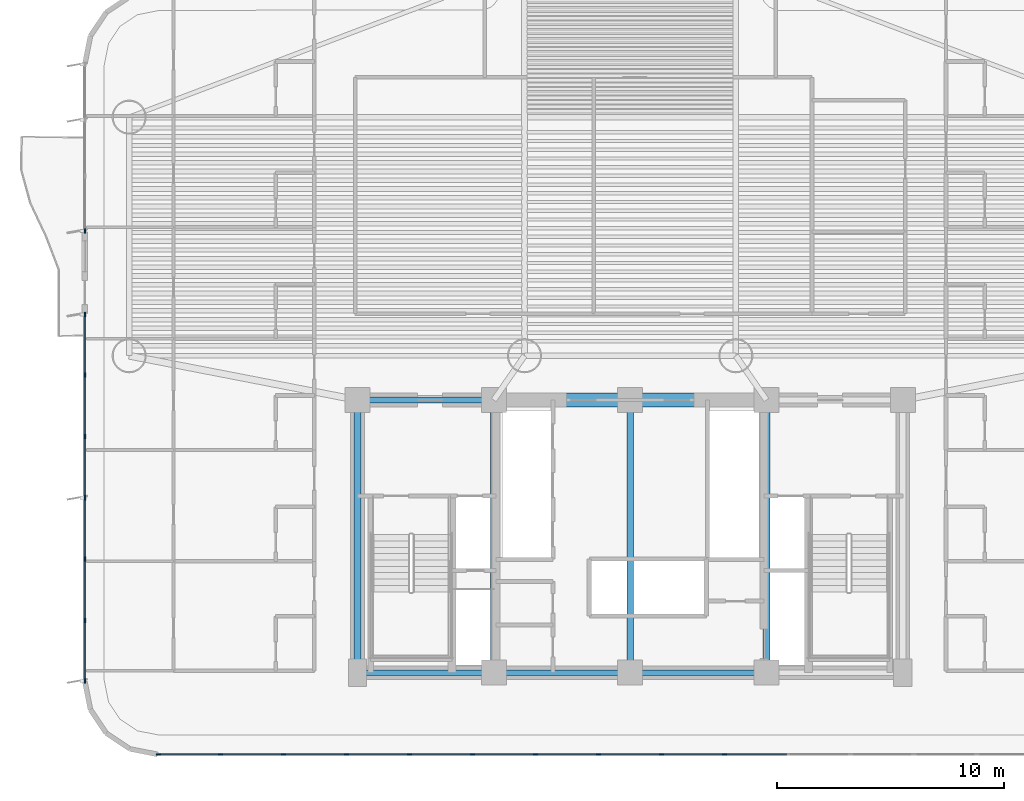
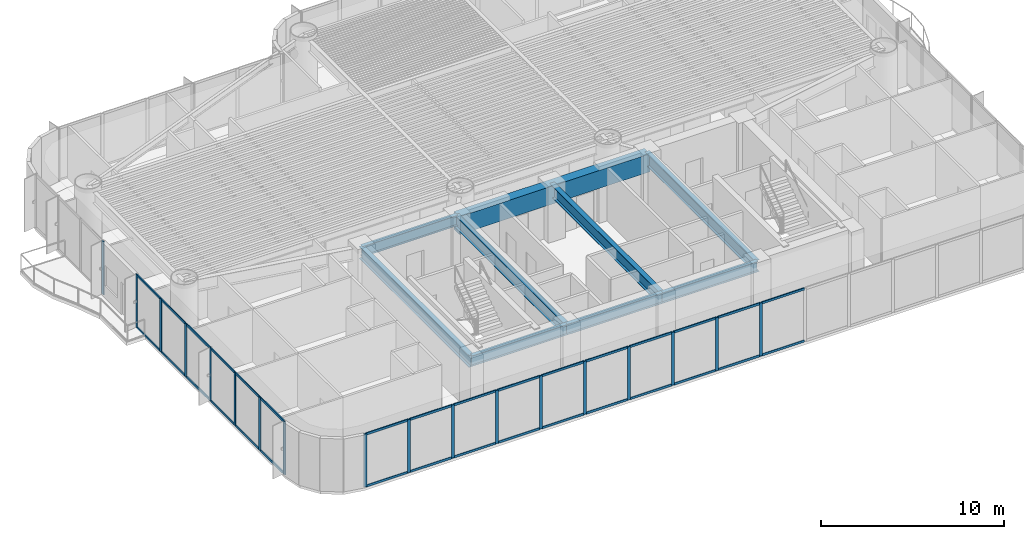
# One storey, part 2 of 19: 50 members, 9 beams, 3 elements without a shape of their own.
"""IFC4 building model written with IfcOpenShell, lengths in metres."""

from ifc_helpers import new_model, si_unit, direction, frame, origin, origin_2d, place, context, subcontext, project, spatial, rectangle, i_section, extrude, source, transform, mapped, material, layer, layer_set, material_profile, profile_set, type_object, element, aggregate, save


model = new_model("IFC4")

# Units and contexts
model_context = context("Model", 3, precision=1e-05, world=origin(), true_north=direction((0.0, 1.0)))
body_context = subcontext(model_context, "Body", "Model", "MODEL_VIEW")
ifc_project = project(units=[si_unit("LENGTHUNIT", "METRE"), si_unit("AREAUNIT", "SQUARE_METRE"), si_unit("VOLUMEUNIT", "CUBIC_METRE"), si_unit("PLANEANGLEUNIT", "RADIAN"), si_unit("MASSUNIT", "GRAM", prefix="KILO")], contexts=[model_context])

# Site, building, storey
site_placement = place(None, origin())
site = spatial("IfcSite", under=ifc_project, at=site_placement, CompositionType="ELEMENT")
building_placement = place(site_placement, origin())
building = spatial("IfcBuilding", under=site, at=building_placement, Name="Brelvock Crest Care Tower", CompositionType="ELEMENT")
storey_placement = place(building_placement, frame((0.0, 0.0, 64.800048828125)))
storey = spatial("IfcBuildingStorey", under=building, at=storey_placement, Name="L16", CompositionType="ELEMENT", Elevation=64.800048828125)

# Beams
ifc_material_1 = material(Name="Concrete S80 (80 MPa)", Category="concrete")
ifc_material_profile_1 = material_profile(ifc_material_1, rectangle(XDim=0.60009765625, YDim=1.199951171875, at=origin_2d()), Name="RC600x1200")
ifc_profile_set_1 = profile_set([ifc_material_profile_1], Name="Concrete S80 (80 MPa)")
beam_type_1 = type_object("IfcBeamType", Name="BM-LN1", PredefinedType="LINTEL", material=ifc_profile_set_1)
shared_shape_1 = source(origin(), body_context, "Body", "SweptSolid", [
    extrude(rectangle(XDim=0.60009765625, YDim=1.199951171875, at=origin_2d()), origin(), (0.0, 0.0, 1.0), 12.0),
])
beam_placement = place(storey_placement, frame((30.0, 18.0, 2.929931640625), z_axis=(1.0, 0.0, 0.0), x_axis=(0.0, 1.0, 0.0)))
element("IfcBeam", 1, at=beam_placement, inside=storey, type_object=beam_type_1, Name="L16 Core Coupling Lintel Beam", PredefinedType="LINTEL", context=body_context, shape_type="MappedRepresentation", body=[
    mapped(shared_shape_1, transform((0.0, 0.0, 0.0), x_axis=(1.0, 0.0, 0.0), y_axis=(0.0, 1.0, 0.0), z_axis=(0.0, 0.0, 1.0), scale=1.0)),
])
ifc_material_2 = material(Name="Steel Grade 350", Category="steel")
ifc_material_profile_2 = material_profile(ifc_material_2, i_section(OverallWidth=0.25, OverallDepth=0.699951171875, WebThickness=0.011962890625, FlangeThickness=0.02001953125, at=origin_2d()), Name="700WB150")
ifc_profile_set_2 = profile_set([ifc_material_profile_2], Name="Steel Grade 350")
beam_type_2 = type_object("IfcBeamType", Name="BM-G4", PredefinedType="BEAM", material=ifc_profile_set_2)
shared_shape_2 = source(origin(), body_context, "Body", "SweptSolid", [
    extrude(i_section(OverallWidth=0.25, OverallDepth=0.699951171875, WebThickness=0.011962890625, FlangeThickness=0.02001953125, at=origin_2d()), origin(), (0.0, 0.0, 1.0), 6.0),
])
for number, where, z_axis, x_axis, name in (
    (2, (24.0, 6.0, 3.179931640625), (1.0, 0.0, 0.0), (0.0, 1.0, 0.0), "BM-CORES-L16-1"),
    (3, (24.0, 18.0, 3.179931640625), (1.0, 0.0, 0.0), (0.0, 1.0, 0.0), "BM-COREN-L16-1"),
    (4, (30.0, 6.0, 3.179931640625), (1.0, 0.0, 0.0), (0.0, 1.0, 0.0), "BM-CORES-L16-2"),
    (5, (36.0, 6.0, 3.179931640625), (1.0, 0.0, 0.0), (0.0, 1.0, 0.0), "BM-CORES-L16-3"),
):
    element("IfcBeam", number, at=place(storey_placement, frame(where, z_axis=z_axis, x_axis=x_axis)), inside=storey, type_object=beam_type_2, Name=name, PredefinedType="BEAM", context=body_context, shape_type="MappedRepresentation", body=[
        mapped(shared_shape_2, transform((0.0, 0.0, 0.0), x_axis=(1.0, 0.0, 0.0), y_axis=(0.0, 1.0, 0.0), z_axis=(0.0, 0.0, 1.0), scale=1.0)),
    ])
ifc_material_profile_3 = material_profile(ifc_material_2, i_section(OverallWidth=0.300048828125, OverallDepth=0.800048828125, WebThickness=0.013916015625, FlangeThickness=0.02197265625, at=origin_2d()), Name="800WB192")
ifc_profile_set_3 = profile_set([ifc_material_profile_3], Name="Steel Grade 350")
beam_type_3 = type_object("IfcBeamType", Name="BM-G5", PredefinedType="BEAM", material=ifc_profile_set_3)
shared_shape_3 = source(origin(), body_context, "Body", "SweptSolid", [
    extrude(i_section(OverallWidth=0.300048828125, OverallDepth=0.800048828125, WebThickness=0.013916015625, FlangeThickness=0.02197265625, at=origin_2d()), origin(), (0.0, 0.0, 1.0), 12.0),
])
for number, where, z_axis, x_axis, name in (
    (6, (24.0, 6.0, 3.1298828125), (0.0, 1.0, 0.0), (-1.0, 0.0, 0.0), "BM-COREX-L16-1"),
    (7, (30.0, 6.0, 3.1298828125), (0.0, 1.0, 0.0), (-1.0, 0.0, 0.0), "BM-COREX-L16-2"),
    (8, (36.0, 6.0, 3.1298828125), (0.0, 1.0, 0.0), (-1.0, 0.0, 0.0), "BM-COREX-L16-3"),
    (9, (42.0, 6.0, 3.1298828125), (0.0, 1.0, 0.0), (-1.0, 0.0, 0.0), "BM-COREX-L16-4"),
):
    element("IfcBeam", number, at=place(storey_placement, frame(where, z_axis=z_axis, x_axis=x_axis)), inside=storey, type_object=beam_type_3, Name=name, PredefinedType="BEAM", context=body_context, shape_type="MappedRepresentation", body=[
        mapped(shared_shape_3, transform((0.0, 0.0, 0.0), x_axis=(1.0, 0.0, 0.0), y_axis=(0.0, 1.0, 0.0), z_axis=(0.0, 0.0, 1.0), scale=1.0)),
    ])

# Curtain wall, members
ifc_material_3 = material(Name="Dark Glass Double Glazed Low-E", Category="glass")
ifc_layer = layer(ifc_material_3, 0.195068359375, Name="CWS-2")
ifc_layer_set = layer_set([ifc_layer], Name="Dark Glass Double Glazed Low-E")
curtain_wall_type = type_object("IfcCurtainWallType", Name="CWS-2", PredefinedType="NOTDEFINED", material=ifc_layer_set)
curtain_wall_1_placement = place(storey_placement, origin())
curtain_wall_1 = element("IfcCurtainWall", 10, at=curtain_wall_1_placement, inside=storey, type_object=curtain_wall_type, Name="L16 Curtain Wall E08", PredefinedType="NOTDEFINED")
ifc_material_4 = material(Name="Aluminium 6063-T6", Category="aluminium")
ifc_material_profile_4 = material_profile(ifc_material_4, rectangle(XDim=0.06494140625, YDim=0.199951171875, at=origin_2d()), Name="ALU65x200")
ifc_profile_set_4 = profile_set([ifc_material_profile_4], Name="Aluminium 6063-T6")
member_type_1 = type_object("IfcMemberType", Name="CWM-1", PredefinedType="MULLION", material=ifc_profile_set_4)
shared_shape_4 = source(origin(), body_context, "Body", "SweptSolid", [
    extrude(rectangle(XDim=0.06494140625, YDim=0.199951171875, at=origin_2d()), origin(), (0.0, 0.0, 1.0), 3.530029296875),
])
member_1_placement = place(storey_placement, frame((40.159912109375, 2.39990234375, 0.0), z_axis=(0.0, 0.0, 1.0), x_axis=(0.0, -1.0, 0.0)))
member_1 = element("IfcMember", 11, at=member_1_placement, type_object=member_type_1, Name="CW-2 mullion 7", PredefinedType="MULLION", context=body_context, shape_type="MappedRepresentation", body=[
    mapped(shared_shape_4, transform((0.0, 0.0, 0.0), x_axis=(1.0, 0.0, 0.0), y_axis=(0.0, 1.0, 0.0), z_axis=(0.0, 0.0, 1.0), scale=1.0)),
])
member_2_placement = place(storey_placement, frame((37.38671875, 2.39990234375, 0.0), z_axis=(0.0, 0.0, 1.0), x_axis=(0.0, -1.0, 0.0)))
member_2 = element("IfcMember", 12, at=member_2_placement, type_object=member_type_1, Name="CW-2 mullion 8", PredefinedType="MULLION", context=body_context, shape_type="MappedRepresentation", body=[
    mapped(shared_shape_4, transform((0.0, 0.0, 0.0), x_axis=(1.0, 0.0, 0.0), y_axis=(0.0, 1.0, 0.0), z_axis=(0.0, 0.0, 1.0), scale=1.0)),
])
member_3_placement = place(storey_placement, frame((34.61328125, 2.39990234375, 0.0), z_axis=(0.0, 0.0, 1.0), x_axis=(0.0, -1.0, 0.0)))
member_3 = element("IfcMember", 13, at=member_3_placement, type_object=member_type_1, Name="CW-2 mullion 9", PredefinedType="MULLION", context=body_context, shape_type="MappedRepresentation", body=[
    mapped(shared_shape_4, transform((0.0, 0.0, 0.0), x_axis=(1.0, 0.0, 0.0), y_axis=(0.0, 1.0, 0.0), z_axis=(0.0, 0.0, 1.0), scale=1.0)),
])
member_4_placement = place(storey_placement, frame((31.840087890625, 2.39990234375, 0.0), z_axis=(0.0, 0.0, 1.0), x_axis=(0.0, -1.0, 0.0)))
member_4 = element("IfcMember", 14, at=member_4_placement, type_object=member_type_1, Name="CW-2 mullion 10", PredefinedType="MULLION", context=body_context, shape_type="MappedRepresentation", body=[
    mapped(shared_shape_4, transform((0.0, 0.0, 0.0), x_axis=(1.0, 0.0, 0.0), y_axis=(0.0, 1.0, 0.0), z_axis=(0.0, 0.0, 1.0), scale=1.0)),
])
member_5_placement = place(storey_placement, frame((29.066650390625, 2.39990234375, 0.0), z_axis=(0.0, 0.0, 1.0), x_axis=(0.0, -1.0, 0.0)))
member_5 = element("IfcMember", 15, at=member_5_placement, type_object=member_type_1, Name="CW-2 mullion 11", PredefinedType="MULLION", context=body_context, shape_type="MappedRepresentation", body=[
    mapped(shared_shape_4, transform((0.0, 0.0, 0.0), x_axis=(1.0, 0.0, 0.0), y_axis=(0.0, 1.0, 0.0), z_axis=(0.0, 0.0, 1.0), scale=1.0)),
])
member_6_placement = place(storey_placement, frame((26.293212890625, 2.39990234375, 0.0), z_axis=(0.0, 0.0, 1.0), x_axis=(0.0, -1.0, 0.0)))
member_6 = element("IfcMember", 16, at=member_6_placement, type_object=member_type_1, Name="CW-2 mullion 12", PredefinedType="MULLION", context=body_context, shape_type="MappedRepresentation", body=[
    mapped(shared_shape_4, transform((0.0, 0.0, 0.0), x_axis=(1.0, 0.0, 0.0), y_axis=(0.0, 1.0, 0.0), z_axis=(0.0, 0.0, 1.0), scale=1.0)),
])
member_7_placement = place(storey_placement, frame((23.52001953125, 2.39990234375, 0.0), z_axis=(0.0, 0.0, 1.0), x_axis=(0.0, -1.0, 0.0)))
member_7 = element("IfcMember", 17, at=member_7_placement, type_object=member_type_1, Name="CW-2 mullion 13", PredefinedType="MULLION", context=body_context, shape_type="MappedRepresentation", body=[
    mapped(shared_shape_4, transform((0.0, 0.0, 0.0), x_axis=(1.0, 0.0, 0.0), y_axis=(0.0, 1.0, 0.0), z_axis=(0.0, 0.0, 1.0), scale=1.0)),
])
member_8_placement = place(storey_placement, frame((20.74658203125, 2.39990234375, 0.0), z_axis=(0.0, 0.0, 1.0), x_axis=(0.0, -1.0, 0.0)))
member_8 = element("IfcMember", 18, at=member_8_placement, type_object=member_type_1, Name="CW-2 mullion 14", PredefinedType="MULLION", context=body_context, shape_type="MappedRepresentation", body=[
    mapped(shared_shape_4, transform((0.0, 0.0, 0.0), x_axis=(1.0, 0.0, 0.0), y_axis=(0.0, 1.0, 0.0), z_axis=(0.0, 0.0, 1.0), scale=1.0)),
])
member_9_placement = place(storey_placement, frame((17.973388671875, 2.39990234375, 0.0), z_axis=(0.0, 0.0, 1.0), x_axis=(0.0, -1.0, 0.0)))
member_9 = element("IfcMember", 19, at=member_9_placement, type_object=member_type_1, Name="CW-2 mullion 15", PredefinedType="MULLION", context=body_context, shape_type="MappedRepresentation", body=[
    mapped(shared_shape_4, transform((0.0, 0.0, 0.0), x_axis=(1.0, 0.0, 0.0), y_axis=(0.0, 1.0, 0.0), z_axis=(0.0, 0.0, 1.0), scale=1.0)),
])
member_10_placement = place(storey_placement, frame((15.232421875, 2.39990234375, 0.0), z_axis=(0.0, 0.0, 1.0), x_axis=(0.0, -1.0, 0.0)))
member_10 = element("IfcMember", 20, at=member_10_placement, type_object=member_type_1, Name="CW-2 mullion 16", PredefinedType="MULLION", context=body_context, shape_type="MappedRepresentation", body=[
    mapped(shared_shape_4, transform((0.0, 0.0, 0.0), x_axis=(1.0, 0.0, 0.0), y_axis=(0.0, 1.0, 0.0), z_axis=(0.0, 0.0, 1.0), scale=1.0)),
])

curtain_wall_2_placement = place(storey_placement, origin())
curtain_wall_2 = element("IfcCurtainWall", 21, at=curtain_wall_2_placement, inside=storey, type_object=curtain_wall_type, Name="L16 Curtain Wall E13A", PredefinedType="NOTDEFINED")
member_11_placement = place(storey_placement, frame((12.0, 5.632568359375, 0.0), z_axis=(0.0, 0.0, 1.0), x_axis=(-1.0, 0.0, 0.0)))
member_11 = element("IfcMember", 22, at=member_11_placement, type_object=member_type_1, Name="CW-2 mullion 1", PredefinedType="MULLION", context=body_context, shape_type="MappedRepresentation", body=[
    mapped(shared_shape_4, transform((0.0, 0.0, 0.0), x_axis=(1.0, 0.0, 0.0), y_axis=(0.0, 1.0, 0.0), z_axis=(0.0, 0.0, 1.0), scale=1.0)),
])
member_12_placement = place(storey_placement, frame((12.0, 8.300048828125, 0.0), z_axis=(0.0, 0.0, 1.0), x_axis=(-1.0, 0.0, 0.0)))
member_12 = element("IfcMember", 23, at=member_12_placement, type_object=member_type_1, Name="CW-2 mullion 2", PredefinedType="MULLION", context=body_context, shape_type="MappedRepresentation", body=[
    mapped(shared_shape_4, transform((0.0, 0.0, 0.0), x_axis=(1.0, 0.0, 0.0), y_axis=(0.0, 1.0, 0.0), z_axis=(0.0, 0.0, 1.0), scale=1.0)),
])
member_13_placement = place(storey_placement, frame((12.0, 11.0, 0.0), z_axis=(0.0, 0.0, 1.0), x_axis=(-1.0, 0.0, 0.0)))
member_13 = element("IfcMember", 24, at=member_13_placement, type_object=member_type_1, Name="CW-2 mullion 3", PredefinedType="MULLION", context=body_context, shape_type="MappedRepresentation", body=[
    mapped(shared_shape_4, transform((0.0, 0.0, 0.0), x_axis=(1.0, 0.0, 0.0), y_axis=(0.0, 1.0, 0.0), z_axis=(0.0, 0.0, 1.0), scale=1.0)),
])
member_14_placement = place(storey_placement, frame((12.0, 13.699951171875, 0.0), z_axis=(0.0, 0.0, 1.0), x_axis=(-1.0, 0.0, 0.0)))
member_14 = element("IfcMember", 25, at=member_14_placement, type_object=member_type_1, Name="CW-2 mullion 4", PredefinedType="MULLION", context=body_context, shape_type="MappedRepresentation", body=[
    mapped(shared_shape_4, transform((0.0, 0.0, 0.0), x_axis=(1.0, 0.0, 0.0), y_axis=(0.0, 1.0, 0.0), z_axis=(0.0, 0.0, 1.0), scale=1.0)),
])
member_15_placement = place(storey_placement, frame((12.0, 16.39990234375, 0.0), z_axis=(0.0, 0.0, 1.0), x_axis=(-1.0, 0.0, 0.0)))
member_15 = element("IfcMember", 26, at=member_15_placement, type_object=member_type_1, Name="CW-2 mullion 5", PredefinedType="MULLION", context=body_context, shape_type="MappedRepresentation", body=[
    mapped(shared_shape_4, transform((0.0, 0.0, 0.0), x_axis=(1.0, 0.0, 0.0), y_axis=(0.0, 1.0, 0.0), z_axis=(0.0, 0.0, 1.0), scale=1.0)),
])
member_16_placement = place(storey_placement, frame((12.0, 19.10009765625, 0.0), z_axis=(0.0, 0.0, 1.0), x_axis=(-1.0, 0.0, 0.0)))
member_16 = element("IfcMember", 27, at=member_16_placement, type_object=member_type_1, Name="CW-2 mullion 6", PredefinedType="MULLION", context=body_context, shape_type="MappedRepresentation", body=[
    mapped(shared_shape_4, transform((0.0, 0.0, 0.0), x_axis=(1.0, 0.0, 0.0), y_axis=(0.0, 1.0, 0.0), z_axis=(0.0, 0.0, 1.0), scale=1.0)),
])
member_17_placement = place(storey_placement, frame((12.0, 21.767578125, 0.0), z_axis=(0.0, 0.0, 1.0), x_axis=(-1.0, 0.0, 0.0)))
member_17 = element("IfcMember", 28, at=member_17_placement, type_object=member_type_1, Name="CW-2 mullion 7", PredefinedType="MULLION", context=body_context, shape_type="MappedRepresentation", body=[
    mapped(shared_shape_4, transform((0.0, 0.0, 0.0), x_axis=(1.0, 0.0, 0.0), y_axis=(0.0, 1.0, 0.0), z_axis=(0.0, 0.0, 1.0), scale=1.0)),
])

# Curtain wall, member
curtain_wall_3_placement = place(storey_placement, origin())
curtain_wall_3 = element("IfcCurtainWall", 29, at=curtain_wall_3_placement, inside=storey, type_object=curtain_wall_type, Name="L16 Curtain Wall E13B", PredefinedType="NOTDEFINED")
member_18_placement = place(storey_placement, frame((12.0, 25.4326171875, 0.0), z_axis=(0.0, 0.0, 1.0), x_axis=(-1.0, 0.0, 0.0)))
member_18 = element("IfcMember", 30, at=member_18_placement, type_object=member_type_1, Name="CW-2 mullion 1", PredefinedType="MULLION", context=body_context, shape_type="MappedRepresentation", body=[
    mapped(shared_shape_4, transform((0.0, 0.0, 0.0), x_axis=(1.0, 0.0, 0.0), y_axis=(0.0, 1.0, 0.0), z_axis=(0.0, 0.0, 1.0), scale=1.0)),
])
aggregate(curtain_wall_3, [member_18])

# Member
ifc_material_profile_5 = material_profile(ifc_material_4, rectangle(XDim=0.06494140625, YDim=0.14990234375, at=origin_2d()), Name="ALU65x150")
ifc_profile_set_5 = profile_set([ifc_material_profile_5], Name="Aluminium 6063-T6")
member_type_2 = type_object("IfcMemberType", Name="CWT-1", PredefinedType="USERDEFINED", material=ifc_profile_set_5)
shared_shape_5 = source(origin(), body_context, "Body", "SweptSolid", [
    extrude(rectangle(XDim=0.06494140625, YDim=0.14990234375, at=origin_2d()), origin(), (0.0, 0.0, 1.0), 2.676025390625),
])
member_19_placement = place(storey_placement, frame((17.94091796875, 2.39990234375, 0.032470703125), z_axis=(-1.0, 0.0, 0.0), x_axis=(0.0, -1.0, 0.0)))
member_19 = element("IfcMember", 31, at=member_19_placement, type_object=member_type_2, Name="CW-2 transom 15.1", ObjectType="TRANSOM", PredefinedType="USERDEFINED", context=body_context, shape_type="MappedRepresentation", body=[
    mapped(shared_shape_5, transform((0.0, 0.0, 0.0), x_axis=(1.0, 0.0, 0.0), y_axis=(0.0, 1.0, 0.0), z_axis=(0.0, 0.0, 1.0), scale=1.0)),
])

member_20_placement = place(storey_placement, frame((17.94091796875, 2.39990234375, 3.49755859375), z_axis=(-1.0, 0.0, 0.0), x_axis=(0.0, -1.0, 0.0)))
member_20 = element("IfcMember", 32, at=member_20_placement, type_object=member_type_2, Name="CW-2 transom 15.2", ObjectType="TRANSOM", PredefinedType="USERDEFINED", context=body_context, shape_type="MappedRepresentation", body=[
    mapped(shared_shape_5, transform((0.0, 0.0, 0.0), x_axis=(1.0, 0.0, 0.0), y_axis=(0.0, 1.0, 0.0), z_axis=(0.0, 0.0, 1.0), scale=1.0)),
])

shared_shape_6 = source(origin(), body_context, "Body", "SweptSolid", [
    extrude(rectangle(XDim=0.06494140625, YDim=0.14990234375, at=origin_2d()), origin(), (0.0, 0.0, 1.0), 2.708251953125),
])
member_21_placement = place(storey_placement, frame((40.12744140625, 2.39990234375, 0.032470703125), z_axis=(-1.0, 0.0, 0.0), x_axis=(0.0, -1.0, 0.0)))
member_21 = element("IfcMember", 33, at=member_21_placement, type_object=member_type_2, Name="CW-2 transom 7.1", ObjectType="TRANSOM", PredefinedType="USERDEFINED", context=body_context, shape_type="MappedRepresentation", body=[
    mapped(shared_shape_6, transform((0.0, 0.0, 0.0), x_axis=(1.0, 0.0, 0.0), y_axis=(0.0, 1.0, 0.0), z_axis=(0.0, 0.0, 1.0), scale=1.0)),
])

member_22_placement = place(storey_placement, frame((40.12744140625, 2.39990234375, 3.49755859375), z_axis=(-1.0, 0.0, 0.0), x_axis=(0.0, -1.0, 0.0)))
member_22 = element("IfcMember", 34, at=member_22_placement, type_object=member_type_2, Name="CW-2 transom 7.2", ObjectType="TRANSOM", PredefinedType="USERDEFINED", context=body_context, shape_type="MappedRepresentation", body=[
    mapped(shared_shape_6, transform((0.0, 0.0, 0.0), x_axis=(1.0, 0.0, 0.0), y_axis=(0.0, 1.0, 0.0), z_axis=(0.0, 0.0, 1.0), scale=1.0)),
])

member_23_placement = place(storey_placement, frame((34.580810546875, 2.39990234375, 0.032470703125), z_axis=(-1.0, 0.0, 0.0), x_axis=(0.0, -1.0, 0.0)))
member_23 = element("IfcMember", 35, at=member_23_placement, type_object=member_type_2, Name="CW-2 transom 9.1", ObjectType="TRANSOM", PredefinedType="USERDEFINED", context=body_context, shape_type="MappedRepresentation", body=[
    mapped(shared_shape_6, transform((0.0, 0.0, 0.0), x_axis=(1.0, 0.0, 0.0), y_axis=(0.0, 1.0, 0.0), z_axis=(0.0, 0.0, 1.0), scale=1.0)),
])

member_24_placement = place(storey_placement, frame((34.580810546875, 2.39990234375, 3.49755859375), z_axis=(-1.0, 0.0, 0.0), x_axis=(0.0, -1.0, 0.0)))
member_24 = element("IfcMember", 36, at=member_24_placement, type_object=member_type_2, Name="CW-2 transom 9.2", ObjectType="TRANSOM", PredefinedType="USERDEFINED", context=body_context, shape_type="MappedRepresentation", body=[
    mapped(shared_shape_6, transform((0.0, 0.0, 0.0), x_axis=(1.0, 0.0, 0.0), y_axis=(0.0, 1.0, 0.0), z_axis=(0.0, 0.0, 1.0), scale=1.0)),
])

member_25_placement = place(storey_placement, frame((29.0341796875, 2.39990234375, 0.032470703125), z_axis=(-1.0, 0.0, 0.0), x_axis=(0.0, -1.0, 0.0)))
member_25 = element("IfcMember", 37, at=member_25_placement, type_object=member_type_2, Name="CW-2 transom 11.1", ObjectType="TRANSOM", PredefinedType="USERDEFINED", context=body_context, shape_type="MappedRepresentation", body=[
    mapped(shared_shape_6, transform((0.0, 0.0, 0.0), x_axis=(1.0, 0.0, 0.0), y_axis=(0.0, 1.0, 0.0), z_axis=(0.0, 0.0, 1.0), scale=1.0)),
])

member_26_placement = place(storey_placement, frame((29.0341796875, 2.39990234375, 3.49755859375), z_axis=(-1.0, 0.0, 0.0), x_axis=(0.0, -1.0, 0.0)))
member_26 = element("IfcMember", 38, at=member_26_placement, type_object=member_type_2, Name="CW-2 transom 11.2", ObjectType="TRANSOM", PredefinedType="USERDEFINED", context=body_context, shape_type="MappedRepresentation", body=[
    mapped(shared_shape_6, transform((0.0, 0.0, 0.0), x_axis=(1.0, 0.0, 0.0), y_axis=(0.0, 1.0, 0.0), z_axis=(0.0, 0.0, 1.0), scale=1.0)),
])

member_27_placement = place(storey_placement, frame((26.2607421875, 2.39990234375, 0.032470703125), z_axis=(-1.0, 0.0, 0.0), x_axis=(0.0, -1.0, 0.0)))
member_27 = element("IfcMember", 39, at=member_27_placement, type_object=member_type_2, Name="CW-2 transom 12.1", ObjectType="TRANSOM", PredefinedType="USERDEFINED", context=body_context, shape_type="MappedRepresentation", body=[
    mapped(shared_shape_6, transform((0.0, 0.0, 0.0), x_axis=(1.0, 0.0, 0.0), y_axis=(0.0, 1.0, 0.0), z_axis=(0.0, 0.0, 1.0), scale=1.0)),
])

member_28_placement = place(storey_placement, frame((26.2607421875, 2.39990234375, 3.49755859375), z_axis=(-1.0, 0.0, 0.0), x_axis=(0.0, -1.0, 0.0)))
member_28 = element("IfcMember", 40, at=member_28_placement, type_object=member_type_2, Name="CW-2 transom 12.2", ObjectType="TRANSOM", PredefinedType="USERDEFINED", context=body_context, shape_type="MappedRepresentation", body=[
    mapped(shared_shape_6, transform((0.0, 0.0, 0.0), x_axis=(1.0, 0.0, 0.0), y_axis=(0.0, 1.0, 0.0), z_axis=(0.0, 0.0, 1.0), scale=1.0)),
])

member_29_placement = place(storey_placement, frame((20.714111328125, 2.39990234375, 0.032470703125), z_axis=(-1.0, 0.0, 0.0), x_axis=(0.0, -1.0, 0.0)))
member_29 = element("IfcMember", 41, at=member_29_placement, type_object=member_type_2, Name="CW-2 transom 14.1", ObjectType="TRANSOM", PredefinedType="USERDEFINED", context=body_context, shape_type="MappedRepresentation", body=[
    mapped(shared_shape_6, transform((0.0, 0.0, 0.0), x_axis=(1.0, 0.0, 0.0), y_axis=(0.0, 1.0, 0.0), z_axis=(0.0, 0.0, 1.0), scale=1.0)),
])

member_30_placement = place(storey_placement, frame((20.714111328125, 2.39990234375, 3.49755859375), z_axis=(-1.0, 0.0, 0.0), x_axis=(0.0, -1.0, 0.0)))
member_30 = element("IfcMember", 42, at=member_30_placement, type_object=member_type_2, Name="CW-2 transom 14.2", ObjectType="TRANSOM", PredefinedType="USERDEFINED", context=body_context, shape_type="MappedRepresentation", body=[
    mapped(shared_shape_6, transform((0.0, 0.0, 0.0), x_axis=(1.0, 0.0, 0.0), y_axis=(0.0, 1.0, 0.0), z_axis=(0.0, 0.0, 1.0), scale=1.0)),
])

shared_shape_7 = source(origin(), body_context, "Body", "SweptSolid", [
    extrude(rectangle(XDim=0.06494140625, YDim=0.14990234375, at=origin_2d()), origin(), (0.0, 0.0, 1.0), 2.70849609375),
])
member_31_placement = place(storey_placement, frame((42.90087890625, 2.39990234375, 0.032470703125), z_axis=(-1.0, 0.0, 0.0), x_axis=(0.0, -1.0, 0.0)))
member_31 = element("IfcMember", 43, at=member_31_placement, type_object=member_type_2, Name="CW-2 transom 6.1", ObjectType="TRANSOM", PredefinedType="USERDEFINED", context=body_context, shape_type="MappedRepresentation", body=[
    mapped(shared_shape_7, transform((0.0, 0.0, 0.0), x_axis=(1.0, 0.0, 0.0), y_axis=(0.0, 1.0, 0.0), z_axis=(0.0, 0.0, 1.0), scale=1.0)),
])

member_32_placement = place(storey_placement, frame((42.90087890625, 2.39990234375, 3.49755859375), z_axis=(-1.0, 0.0, 0.0), x_axis=(0.0, -1.0, 0.0)))
member_32 = element("IfcMember", 44, at=member_32_placement, type_object=member_type_2, Name="CW-2 transom 6.2", ObjectType="TRANSOM", PredefinedType="USERDEFINED", context=body_context, shape_type="MappedRepresentation", body=[
    mapped(shared_shape_7, transform((0.0, 0.0, 0.0), x_axis=(1.0, 0.0, 0.0), y_axis=(0.0, 1.0, 0.0), z_axis=(0.0, 0.0, 1.0), scale=1.0)),
])

member_33_placement = place(storey_placement, frame((37.354248046875, 2.39990234375, 0.032470703125), z_axis=(-1.0, 0.0, 0.0), x_axis=(0.0, -1.0, 0.0)))
member_33 = element("IfcMember", 45, at=member_33_placement, type_object=member_type_2, Name="CW-2 transom 8.1", ObjectType="TRANSOM", PredefinedType="USERDEFINED", context=body_context, shape_type="MappedRepresentation", body=[
    mapped(shared_shape_7, transform((0.0, 0.0, 0.0), x_axis=(1.0, 0.0, 0.0), y_axis=(0.0, 1.0, 0.0), z_axis=(0.0, 0.0, 1.0), scale=1.0)),
])

member_34_placement = place(storey_placement, frame((37.354248046875, 2.39990234375, 3.49755859375), z_axis=(-1.0, 0.0, 0.0), x_axis=(0.0, -1.0, 0.0)))
member_34 = element("IfcMember", 46, at=member_34_placement, type_object=member_type_2, Name="CW-2 transom 8.2", ObjectType="TRANSOM", PredefinedType="USERDEFINED", context=body_context, shape_type="MappedRepresentation", body=[
    mapped(shared_shape_7, transform((0.0, 0.0, 0.0), x_axis=(1.0, 0.0, 0.0), y_axis=(0.0, 1.0, 0.0), z_axis=(0.0, 0.0, 1.0), scale=1.0)),
])

member_35_placement = place(storey_placement, frame((31.8076171875, 2.39990234375, 0.032470703125), z_axis=(-1.0, 0.0, 0.0), x_axis=(0.0, -1.0, 0.0)))
member_35 = element("IfcMember", 47, at=member_35_placement, type_object=member_type_2, Name="CW-2 transom 10.1", ObjectType="TRANSOM", PredefinedType="USERDEFINED", context=body_context, shape_type="MappedRepresentation", body=[
    mapped(shared_shape_7, transform((0.0, 0.0, 0.0), x_axis=(1.0, 0.0, 0.0), y_axis=(0.0, 1.0, 0.0), z_axis=(0.0, 0.0, 1.0), scale=1.0)),
])

member_36_placement = place(storey_placement, frame((31.8076171875, 2.39990234375, 3.49755859375), z_axis=(-1.0, 0.0, 0.0), x_axis=(0.0, -1.0, 0.0)))
member_36 = element("IfcMember", 48, at=member_36_placement, type_object=member_type_2, Name="CW-2 transom 10.2", ObjectType="TRANSOM", PredefinedType="USERDEFINED", context=body_context, shape_type="MappedRepresentation", body=[
    mapped(shared_shape_7, transform((0.0, 0.0, 0.0), x_axis=(1.0, 0.0, 0.0), y_axis=(0.0, 1.0, 0.0), z_axis=(0.0, 0.0, 1.0), scale=1.0)),
])

member_37_placement = place(storey_placement, frame((23.487548828125, 2.39990234375, 0.032470703125), z_axis=(-1.0, 0.0, 0.0), x_axis=(0.0, -1.0, 0.0)))
member_37 = element("IfcMember", 49, at=member_37_placement, type_object=member_type_2, Name="CW-2 transom 13.1", ObjectType="TRANSOM", PredefinedType="USERDEFINED", context=body_context, shape_type="MappedRepresentation", body=[
    mapped(shared_shape_7, transform((0.0, 0.0, 0.0), x_axis=(1.0, 0.0, 0.0), y_axis=(0.0, 1.0, 0.0), z_axis=(0.0, 0.0, 1.0), scale=1.0)),
])

member_38_placement = place(storey_placement, frame((23.487548828125, 2.39990234375, 3.49755859375), z_axis=(-1.0, 0.0, 0.0), x_axis=(0.0, -1.0, 0.0)))
member_38 = element("IfcMember", 50, at=member_38_placement, type_object=member_type_2, Name="CW-2 transom 13.2", ObjectType="TRANSOM", PredefinedType="USERDEFINED", context=body_context, shape_type="MappedRepresentation", body=[
    mapped(shared_shape_7, transform((0.0, 0.0, 0.0), x_axis=(1.0, 0.0, 0.0), y_axis=(0.0, 1.0, 0.0), z_axis=(0.0, 0.0, 1.0), scale=1.0)),
])

aggregate(curtain_wall_1, [member_1, member_2, member_3, member_4, member_5, member_6, member_7, member_8, member_9, member_10, member_31, member_32, member_21, member_22, member_33, member_34, member_23, member_24, member_35, member_36, member_25, member_26, member_27, member_28, member_37, member_38, member_29, member_30, member_19, member_20])

shared_shape_8 = source(origin(), body_context, "Body", "SweptSolid", [
    extrude(rectangle(XDim=0.06494140625, YDim=0.14990234375, at=origin_2d()), origin(), (0.0, 0.0, 1.0), 2.6025390625),
])
member_39_placement = place(storey_placement, frame((12.0, 5.6650390625, 0.032470703125), z_axis=(0.0, 1.0, 0.0), x_axis=(-1.0, 0.0, 0.0)))
member_39 = element("IfcMember", 51, at=member_39_placement, type_object=member_type_2, Name="CW-2 transom 1.1", ObjectType="TRANSOM", PredefinedType="USERDEFINED", context=body_context, shape_type="MappedRepresentation", body=[
    mapped(shared_shape_8, transform((0.0, 0.0, 0.0), x_axis=(1.0, 0.0, 0.0), y_axis=(0.0, 1.0, 0.0), z_axis=(0.0, 0.0, 1.0), scale=1.0)),
])

member_40_placement = place(storey_placement, frame((12.0, 5.6650390625, 3.49755859375), z_axis=(0.0, 1.0, 0.0), x_axis=(-1.0, 0.0, 0.0)))
member_40 = element("IfcMember", 52, at=member_40_placement, type_object=member_type_2, Name="CW-2 transom 1.2", ObjectType="TRANSOM", PredefinedType="USERDEFINED", context=body_context, shape_type="MappedRepresentation", body=[
    mapped(shared_shape_8, transform((0.0, 0.0, 0.0), x_axis=(1.0, 0.0, 0.0), y_axis=(0.0, 1.0, 0.0), z_axis=(0.0, 0.0, 1.0), scale=1.0)),
])

member_41_placement = place(storey_placement, frame((12.0, 19.132568359375, 0.032470703125), z_axis=(0.0, 1.0, 0.0), x_axis=(-1.0, 0.0, 0.0)))
member_41 = element("IfcMember", 53, at=member_41_placement, type_object=member_type_2, Name="CW-2 transom 6.1", ObjectType="TRANSOM", PredefinedType="USERDEFINED", context=body_context, shape_type="MappedRepresentation", body=[
    mapped(shared_shape_8, transform((0.0, 0.0, 0.0), x_axis=(1.0, 0.0, 0.0), y_axis=(0.0, 1.0, 0.0), z_axis=(0.0, 0.0, 1.0), scale=1.0)),
])

member_42_placement = place(storey_placement, frame((12.0, 19.132568359375, 3.49755859375), z_axis=(0.0, 1.0, 0.0), x_axis=(-1.0, 0.0, 0.0)))
member_42 = element("IfcMember", 54, at=member_42_placement, type_object=member_type_2, Name="CW-2 transom 6.2", ObjectType="TRANSOM", PredefinedType="USERDEFINED", context=body_context, shape_type="MappedRepresentation", body=[
    mapped(shared_shape_8, transform((0.0, 0.0, 0.0), x_axis=(1.0, 0.0, 0.0), y_axis=(0.0, 1.0, 0.0), z_axis=(0.0, 0.0, 1.0), scale=1.0)),
])

shared_shape_9 = source(origin(), body_context, "Body", "SweptSolid", [
    extrude(rectangle(XDim=0.06494140625, YDim=0.14990234375, at=origin_2d()), origin(), (0.0, 0.0, 1.0), 2.635009765625),
])
member_43_placement = place(storey_placement, frame((12.0, 8.33251953125, 0.032470703125), z_axis=(0.0, 1.0, 0.0), x_axis=(-1.0, 0.0, 0.0)))
member_43 = element("IfcMember", 55, at=member_43_placement, type_object=member_type_2, Name="CW-2 transom 2.1", ObjectType="TRANSOM", PredefinedType="USERDEFINED", context=body_context, shape_type="MappedRepresentation", body=[
    mapped(shared_shape_9, transform((0.0, 0.0, 0.0), x_axis=(1.0, 0.0, 0.0), y_axis=(0.0, 1.0, 0.0), z_axis=(0.0, 0.0, 1.0), scale=1.0)),
])

member_44_placement = place(storey_placement, frame((12.0, 8.33251953125, 3.49755859375), z_axis=(0.0, 1.0, 0.0), x_axis=(-1.0, 0.0, 0.0)))
member_44 = element("IfcMember", 56, at=member_44_placement, type_object=member_type_2, Name="CW-2 transom 2.2", ObjectType="TRANSOM", PredefinedType="USERDEFINED", context=body_context, shape_type="MappedRepresentation", body=[
    mapped(shared_shape_9, transform((0.0, 0.0, 0.0), x_axis=(1.0, 0.0, 0.0), y_axis=(0.0, 1.0, 0.0), z_axis=(0.0, 0.0, 1.0), scale=1.0)),
])

member_45_placement = place(storey_placement, frame((12.0, 11.032470703125, 0.032470703125), z_axis=(0.0, 1.0, 0.0), x_axis=(-1.0, 0.0, 0.0)))
member_45 = element("IfcMember", 57, at=member_45_placement, type_object=member_type_2, Name="CW-2 transom 3.1", ObjectType="TRANSOM", PredefinedType="USERDEFINED", context=body_context, shape_type="MappedRepresentation", body=[
    mapped(shared_shape_9, transform((0.0, 0.0, 0.0), x_axis=(1.0, 0.0, 0.0), y_axis=(0.0, 1.0, 0.0), z_axis=(0.0, 0.0, 1.0), scale=1.0)),
])

member_46_placement = place(storey_placement, frame((12.0, 11.032470703125, 3.49755859375), z_axis=(0.0, 1.0, 0.0), x_axis=(-1.0, 0.0, 0.0)))
member_46 = element("IfcMember", 58, at=member_46_placement, type_object=member_type_2, Name="CW-2 transom 3.2", ObjectType="TRANSOM", PredefinedType="USERDEFINED", context=body_context, shape_type="MappedRepresentation", body=[
    mapped(shared_shape_9, transform((0.0, 0.0, 0.0), x_axis=(1.0, 0.0, 0.0), y_axis=(0.0, 1.0, 0.0), z_axis=(0.0, 0.0, 1.0), scale=1.0)),
])

member_47_placement = place(storey_placement, frame((12.0, 13.732421875, 0.032470703125), z_axis=(0.0, 1.0, 0.0), x_axis=(-1.0, 0.0, 0.0)))
member_47 = element("IfcMember", 59, at=member_47_placement, type_object=member_type_2, Name="CW-2 transom 4.1", ObjectType="TRANSOM", PredefinedType="USERDEFINED", context=body_context, shape_type="MappedRepresentation", body=[
    mapped(shared_shape_9, transform((0.0, 0.0, 0.0), x_axis=(1.0, 0.0, 0.0), y_axis=(0.0, 1.0, 0.0), z_axis=(0.0, 0.0, 1.0), scale=1.0)),
])

member_48_placement = place(storey_placement, frame((12.0, 13.732421875, 3.49755859375), z_axis=(0.0, 1.0, 0.0), x_axis=(-1.0, 0.0, 0.0)))
member_48 = element("IfcMember", 60, at=member_48_placement, type_object=member_type_2, Name="CW-2 transom 4.2", ObjectType="TRANSOM", PredefinedType="USERDEFINED", context=body_context, shape_type="MappedRepresentation", body=[
    mapped(shared_shape_9, transform((0.0, 0.0, 0.0), x_axis=(1.0, 0.0, 0.0), y_axis=(0.0, 1.0, 0.0), z_axis=(0.0, 0.0, 1.0), scale=1.0)),
])

shared_shape_10 = source(origin(), body_context, "Body", "SweptSolid", [
    extrude(rectangle(XDim=0.06494140625, YDim=0.14990234375, at=origin_2d()), origin(), (0.0, 0.0, 1.0), 2.634765625),
])
member_49_placement = place(storey_placement, frame((12.0, 16.4326171875, 0.032470703125), z_axis=(0.0, 1.0, 0.0), x_axis=(-1.0, 0.0, 0.0)))
member_49 = element("IfcMember", 61, at=member_49_placement, type_object=member_type_2, Name="CW-2 transom 5.1", ObjectType="TRANSOM", PredefinedType="USERDEFINED", context=body_context, shape_type="MappedRepresentation", body=[
    mapped(shared_shape_10, transform((0.0, 0.0, 0.0), x_axis=(1.0, 0.0, 0.0), y_axis=(0.0, 1.0, 0.0), z_axis=(0.0, 0.0, 1.0), scale=1.0)),
])

member_50_placement = place(storey_placement, frame((12.0, 16.4326171875, 3.49755859375), z_axis=(0.0, 1.0, 0.0), x_axis=(-1.0, 0.0, 0.0)))
member_50 = element("IfcMember", 62, at=member_50_placement, type_object=member_type_2, Name="CW-2 transom 5.2", ObjectType="TRANSOM", PredefinedType="USERDEFINED", context=body_context, shape_type="MappedRepresentation", body=[
    mapped(shared_shape_10, transform((0.0, 0.0, 0.0), x_axis=(1.0, 0.0, 0.0), y_axis=(0.0, 1.0, 0.0), z_axis=(0.0, 0.0, 1.0), scale=1.0)),
])

aggregate(curtain_wall_2, [member_11, member_12, member_13, member_14, member_15, member_16, member_17, member_39, member_40, member_43, member_44, member_45, member_46, member_47, member_48, member_49, member_50, member_41, member_42])

save(model, "model.ifc")
